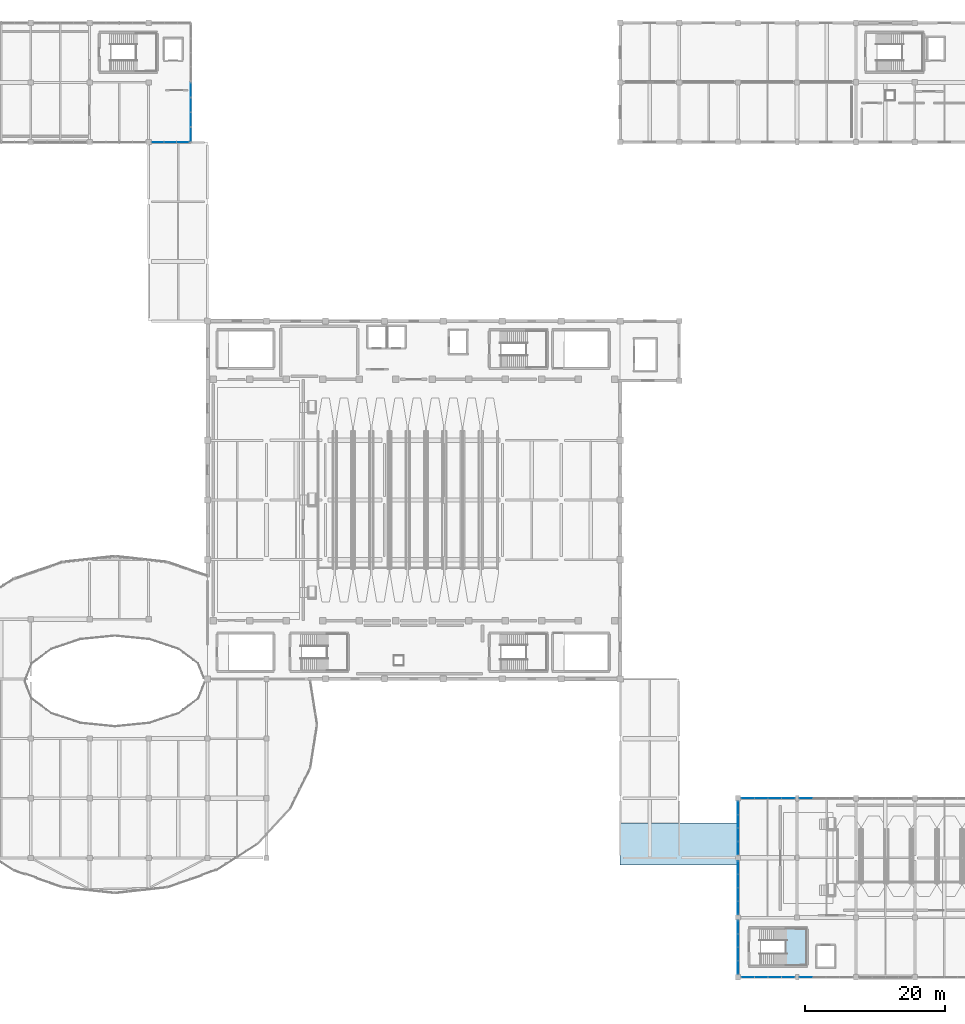
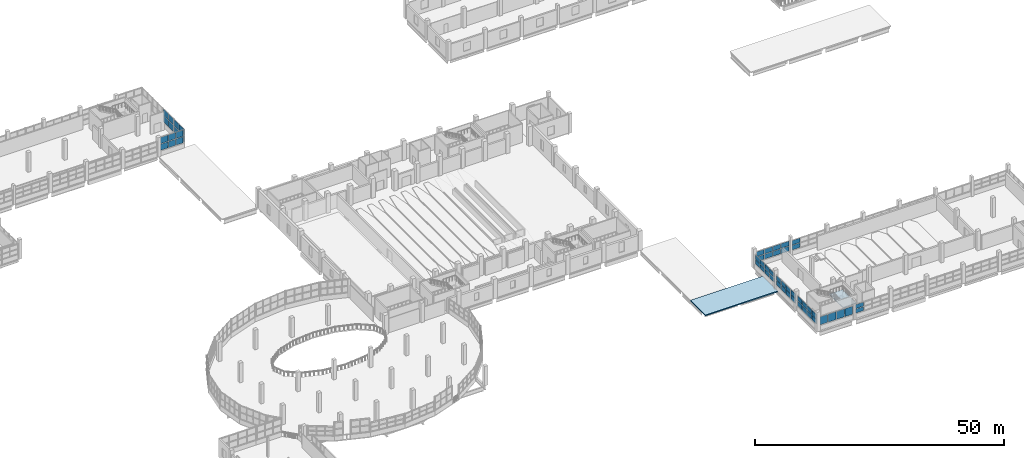
# One storey, part 90 of 117: 54 plates, 2 slabs, 10 elements without a shape of their own.
"""IFC4 building model written with IfcOpenShell, lengths in metres."""

from ifc_helpers import new_model, si_unit, direction, frame, origin, origin_2d, place, context, subcontext, project, spatial, polyline, rectangle, outline, extrude, material, layer, layer_set, type_object, element, aggregate, save


model = new_model("IFC4")

# Units and contexts
model_context = context("Model", 3, precision=1e-05, world=origin(), true_north=direction((0.0, 1.0)))
body_context = subcontext(model_context, "Body", "Model", "MODEL_VIEW")
ifc_project = project(units=[si_unit("LENGTHUNIT", "METRE"), si_unit("AREAUNIT", "SQUARE_METRE"), si_unit("VOLUMEUNIT", "CUBIC_METRE"), si_unit("PLANEANGLEUNIT", "RADIAN"), si_unit("MASSUNIT", "GRAM", prefix="KILO")], contexts=[model_context])

# Site, building, storey
site_placement = place(None, origin())
site = spatial("IfcSite", under=ifc_project, at=site_placement, CompositionType="ELEMENT")
building_placement = place(site_placement, origin())
building = spatial("IfcBuilding", under=site, at=building_placement, Name="Solvento Point Concert Hall", CompositionType="ELEMENT")
storey_placement = place(building_placement, frame((0.0, 0.0, 5.39990234375)))
storey = spatial("IfcBuildingStorey", under=building, at=storey_placement, Name="L01", CompositionType="ELEMENT", Elevation=5.39990234375)

# Curtain wall, plates
ifc_material_1 = material(Name="Anodized Bronze Aluminium", Category="aluminium")
curtain_wall_type_1 = type_object("IfcCurtainWallType", Name="CurtainWall_ChamberCircle", PredefinedType="USERDEFINED", material=ifc_material_1)
curtain_wall_1_placement = place(storey_placement, origin())
curtain_wall_1 = element("IfcCurtainWall", 1, at=curtain_wall_1_placement, inside=storey, type_object=curtain_wall_type_1, Name="Unitised curtain wall CW-32 UCW-L01-073", ObjectType="UNITISED CURTAIN WALL", PredefinedType="USERDEFINED")
ifc_material_2 = material(Name="Hurricane Laminated Low-E Glass", Category="glass")
plate_type_1 = type_object("IfcPlateType", Name="CurtainPanel_ChamberCircle", PredefinedType="CURTAIN_PANEL", material=ifc_material_2)
plate_1_placement = place(storey_placement, frame((150.0, 1.38134765625, 1.240234375), z_axis=(0.0, 0.0, 1.0), x_axis=(0.0, 1.0, 0.0)))
plate_1 = element("IfcPlate", 2, at=plate_1_placement, type_object=plate_type_1, Name="Glazed curtain panel GL-05", PredefinedType="CURTAIN_PANEL", context=body_context, shape_type="SweptSolid", body=[
    extrude(rectangle(XDim=1.79248046875, YDim=0.048095703125, at=origin_2d()), origin(), (0.0, 0.0, 1.0), 1.157470703125),
])
plate_2_placement = place(storey_placement, frame((150.0, 1.38134765625, 2.517578125), z_axis=(0.0, 0.0, 1.0), x_axis=(0.0, 1.0, 0.0)))
plate_2 = element("IfcPlate", 3, at=plate_2_placement, type_object=plate_type_1, Name="Glazed curtain panel GL-05", PredefinedType="CURTAIN_PANEL", context=body_context, shape_type="SweptSolid", body=[
    extrude(rectangle(XDim=1.79248046875, YDim=0.048095703125, at=origin_2d()), origin(), (0.0, 0.0, 1.0), 1.157470703125),
])
plate_3_placement = place(storey_placement, frame((150.0, 3.293701171875, 1.240234375), z_axis=(0.0, 0.0, 1.0), x_axis=(0.0, 1.0, 0.0)))
plate_3 = element("IfcPlate", 4, at=plate_3_placement, type_object=plate_type_1, Name="Glazed curtain panel GL-05", PredefinedType="CURTAIN_PANEL", context=body_context, shape_type="SweptSolid", body=[
    extrude(rectangle(XDim=1.79248046875, YDim=0.048095703125, at=origin_2d()), origin(), (0.0, 0.0, 1.0), 1.157470703125),
])
plate_4_placement = place(storey_placement, frame((150.0, 3.293701171875, 2.517578125), z_axis=(0.0, 0.0, 1.0), x_axis=(0.0, 1.0, 0.0)))
plate_4 = element("IfcPlate", 5, at=plate_4_placement, type_object=plate_type_1, Name="Glazed curtain panel GL-05", PredefinedType="CURTAIN_PANEL", context=body_context, shape_type="SweptSolid", body=[
    extrude(rectangle(XDim=1.79248046875, YDim=0.048095703125, at=origin_2d()), origin(), (0.0, 0.0, 1.0), 1.157470703125),
])
plate_5_placement = place(storey_placement, frame((150.0, 5.206298828125, 1.240234375), z_axis=(0.0, 0.0, 1.0), x_axis=(0.0, 1.0, 0.0)))
plate_5 = element("IfcPlate", 6, at=plate_5_placement, type_object=plate_type_1, Name="Glazed curtain panel GL-05", PredefinedType="CURTAIN_PANEL", context=body_context, shape_type="SweptSolid", body=[
    extrude(rectangle(XDim=1.79248046875, YDim=0.048095703125, at=origin_2d()), origin(), (0.0, 0.0, 1.0), 1.157470703125),
])
plate_6_placement = place(storey_placement, frame((150.0, 5.206298828125, 2.517578125), z_axis=(0.0, 0.0, 1.0), x_axis=(0.0, 1.0, 0.0)))
plate_6 = element("IfcPlate", 7, at=plate_6_placement, type_object=plate_type_1, Name="Glazed curtain panel GL-05", PredefinedType="CURTAIN_PANEL", context=body_context, shape_type="SweptSolid", body=[
    extrude(rectangle(XDim=1.79248046875, YDim=0.048095703125, at=origin_2d()), origin(), (0.0, 0.0, 1.0), 1.157470703125),
])
plate_7_placement = place(storey_placement, frame((150.0, 7.118896484375, 1.240234375), z_axis=(0.0, 0.0, 1.0), x_axis=(0.0, 1.0, 0.0)))
plate_7 = element("IfcPlate", 8, at=plate_7_placement, type_object=plate_type_1, Name="Glazed curtain panel GL-05", PredefinedType="CURTAIN_PANEL", context=body_context, shape_type="SweptSolid", body=[
    extrude(rectangle(XDim=1.79248046875, YDim=0.048095703125, at=origin_2d()), origin(), (0.0, 0.0, 1.0), 1.157470703125),
])
plate_8_placement = place(storey_placement, frame((150.0, 7.118896484375, 2.517578125), z_axis=(0.0, 0.0, 1.0), x_axis=(0.0, 1.0, 0.0)))
plate_8 = element("IfcPlate", 9, at=plate_8_placement, type_object=plate_type_1, Name="Glazed curtain panel GL-05", PredefinedType="CURTAIN_PANEL", context=body_context, shape_type="SweptSolid", body=[
    extrude(rectangle(XDim=1.79248046875, YDim=0.048095703125, at=origin_2d()), origin(), (0.0, 0.0, 1.0), 1.157470703125),
])
aggregate(curtain_wall_1, [plate_1, plate_2, plate_3, plate_4, plate_5, plate_6, plate_7, plate_8])

curtain_wall_2_placement = place(storey_placement, origin())
curtain_wall_2 = element("IfcCurtainWall", 10, at=curtain_wall_2_placement, inside=storey, type_object=curtain_wall_type_1, Name="Unitised curtain wall CW-32 UCW-L01-074", ObjectType="UNITISED CURTAIN WALL", PredefinedType="USERDEFINED")
plate_9_placement = place(storey_placement, frame((150.0, 9.881103515625, 1.240234375), z_axis=(0.0, 0.0, 1.0), x_axis=(0.0, 1.0, 0.0)))
plate_9 = element("IfcPlate", 11, at=plate_9_placement, type_object=plate_type_1, Name="Glazed curtain panel GL-05", PredefinedType="CURTAIN_PANEL", context=body_context, shape_type="SweptSolid", body=[
    extrude(rectangle(XDim=1.79248046875, YDim=0.048095703125, at=origin_2d()), origin(), (0.0, 0.0, 1.0), 1.08544921875),
])
plate_10_placement = place(storey_placement, frame((150.0, 9.881103515625, 2.445556640625), z_axis=(0.0, 0.0, 1.0), x_axis=(0.0, 1.0, 0.0)))
plate_10 = element("IfcPlate", 12, at=plate_10_placement, type_object=plate_type_1, Name="Glazed curtain panel GL-05", PredefinedType="CURTAIN_PANEL", context=body_context, shape_type="SweptSolid", body=[
    extrude(rectangle(XDim=1.79248046875, YDim=0.048095703125, at=origin_2d()), origin(), (0.0, 0.0, 1.0), 1.08544921875),
])
plate_11_placement = place(storey_placement, frame((150.0, 11.793701171875, 1.240234375), z_axis=(0.0, 0.0, 1.0), x_axis=(0.0, 1.0, 0.0)))
plate_11 = element("IfcPlate", 13, at=plate_11_placement, type_object=plate_type_1, Name="Glazed curtain panel GL-05", PredefinedType="CURTAIN_PANEL", context=body_context, shape_type="SweptSolid", body=[
    extrude(rectangle(XDim=1.79248046875, YDim=0.048095703125, at=origin_2d()), origin(), (0.0, 0.0, 1.0), 1.08544921875),
])
plate_12_placement = place(storey_placement, frame((150.0, 11.793701171875, 2.445556640625), z_axis=(0.0, 0.0, 1.0), x_axis=(0.0, 1.0, 0.0)))
plate_12 = element("IfcPlate", 14, at=plate_12_placement, type_object=plate_type_1, Name="Glazed curtain panel GL-05", PredefinedType="CURTAIN_PANEL", context=body_context, shape_type="SweptSolid", body=[
    extrude(rectangle(XDim=1.79248046875, YDim=0.048095703125, at=origin_2d()), origin(), (0.0, 0.0, 1.0), 1.08544921875),
])
plate_13_placement = place(storey_placement, frame((150.0, 13.706298828125, 1.240234375), z_axis=(0.0, 0.0, 1.0), x_axis=(0.0, 1.0, 0.0)))
plate_13 = element("IfcPlate", 15, at=plate_13_placement, type_object=plate_type_1, Name="Glazed curtain panel GL-05", PredefinedType="CURTAIN_PANEL", context=body_context, shape_type="SweptSolid", body=[
    extrude(rectangle(XDim=1.79248046875, YDim=0.048095703125, at=origin_2d()), origin(), (0.0, 0.0, 1.0), 1.08544921875),
])
plate_14_placement = place(storey_placement, frame((150.0, 13.706298828125, 2.445556640625), z_axis=(0.0, 0.0, 1.0), x_axis=(0.0, 1.0, 0.0)))
plate_14 = element("IfcPlate", 16, at=plate_14_placement, type_object=plate_type_1, Name="Glazed curtain panel GL-05", PredefinedType="CURTAIN_PANEL", context=body_context, shape_type="SweptSolid", body=[
    extrude(rectangle(XDim=1.79248046875, YDim=0.048095703125, at=origin_2d()), origin(), (0.0, 0.0, 1.0), 1.08544921875),
])
plate_15_placement = place(storey_placement, frame((150.0, 15.61865234375, 1.240234375), z_axis=(0.0, 0.0, 1.0), x_axis=(0.0, 1.0, 0.0)))
plate_15 = element("IfcPlate", 17, at=plate_15_placement, type_object=plate_type_1, Name="Glazed curtain panel GL-05", PredefinedType="CURTAIN_PANEL", context=body_context, shape_type="SweptSolid", body=[
    extrude(rectangle(XDim=1.79248046875, YDim=0.048095703125, at=origin_2d()), origin(), (0.0, 0.0, 1.0), 1.08544921875),
])
plate_16_placement = place(storey_placement, frame((150.0, 15.61865234375, 2.445556640625), z_axis=(0.0, 0.0, 1.0), x_axis=(0.0, 1.0, 0.0)))
plate_16 = element("IfcPlate", 18, at=plate_16_placement, type_object=plate_type_1, Name="Glazed curtain panel GL-05", PredefinedType="CURTAIN_PANEL", context=body_context, shape_type="SweptSolid", body=[
    extrude(rectangle(XDim=1.79248046875, YDim=0.048095703125, at=origin_2d()), origin(), (0.0, 0.0, 1.0), 1.08544921875),
])
aggregate(curtain_wall_2, [plate_9, plate_10, plate_11, plate_12, plate_13, plate_14, plate_15, plate_16])

curtain_wall_3_placement = place(storey_placement, origin())
curtain_wall_3 = element("IfcCurtainWall", 19, at=curtain_wall_3_placement, inside=storey, type_object=curtain_wall_type_1, Name="Unitised curtain wall CW-32 UCW-L01-075", ObjectType="UNITISED CURTAIN WALL", PredefinedType="USERDEFINED")
plate_17_placement = place(storey_placement, frame((150.0, 18.38134765625, 1.240234375), z_axis=(0.0, 0.0, 1.0), x_axis=(0.0, 1.0, 0.0)))
plate_17 = element("IfcPlate", 20, at=plate_17_placement, type_object=plate_type_1, Name="Glazed curtain panel GL-05", PredefinedType="CURTAIN_PANEL", context=body_context, shape_type="SweptSolid", body=[
    extrude(rectangle(XDim=1.79248046875, YDim=0.048095703125, at=origin_2d()), origin(), (0.0, 0.0, 1.0), 1.047119140625),
])
plate_18_placement = place(storey_placement, frame((150.0, 18.38134765625, 2.4072265625), z_axis=(0.0, 0.0, 1.0), x_axis=(0.0, 1.0, 0.0)))
plate_18 = element("IfcPlate", 21, at=plate_18_placement, type_object=plate_type_1, Name="Glazed curtain panel GL-05", PredefinedType="CURTAIN_PANEL", context=body_context, shape_type="SweptSolid", body=[
    extrude(rectangle(XDim=1.79248046875, YDim=0.048095703125, at=origin_2d()), origin(), (0.0, 0.0, 1.0), 1.047119140625),
])
plate_19_placement = place(storey_placement, frame((150.0, 20.293701171875, 1.240234375), z_axis=(0.0, 0.0, 1.0), x_axis=(0.0, 1.0, 0.0)))
plate_19 = element("IfcPlate", 22, at=plate_19_placement, type_object=plate_type_1, Name="Glazed curtain panel GL-05", PredefinedType="CURTAIN_PANEL", context=body_context, shape_type="SweptSolid", body=[
    extrude(rectangle(XDim=1.79248046875, YDim=0.048095703125, at=origin_2d()), origin(), (0.0, 0.0, 1.0), 1.047119140625),
])
plate_20_placement = place(storey_placement, frame((150.0, 20.293701171875, 2.4072265625), z_axis=(0.0, 0.0, 1.0), x_axis=(0.0, 1.0, 0.0)))
plate_20 = element("IfcPlate", 23, at=plate_20_placement, type_object=plate_type_1, Name="Glazed curtain panel GL-05", PredefinedType="CURTAIN_PANEL", context=body_context, shape_type="SweptSolid", body=[
    extrude(rectangle(XDim=1.79248046875, YDim=0.048095703125, at=origin_2d()), origin(), (0.0, 0.0, 1.0), 1.047119140625),
])
plate_21_placement = place(storey_placement, frame((150.0, 22.206298828125, 1.240234375), z_axis=(0.0, 0.0, 1.0), x_axis=(0.0, 1.0, 0.0)))
plate_21 = element("IfcPlate", 24, at=plate_21_placement, type_object=plate_type_1, Name="Glazed curtain panel GL-05", PredefinedType="CURTAIN_PANEL", context=body_context, shape_type="SweptSolid", body=[
    extrude(rectangle(XDim=1.79248046875, YDim=0.048095703125, at=origin_2d()), origin(), (0.0, 0.0, 1.0), 1.047119140625),
])
plate_22_placement = place(storey_placement, frame((150.0, 22.206298828125, 2.4072265625), z_axis=(0.0, 0.0, 1.0), x_axis=(0.0, 1.0, 0.0)))
plate_22 = element("IfcPlate", 25, at=plate_22_placement, type_object=plate_type_1, Name="Glazed curtain panel GL-05", PredefinedType="CURTAIN_PANEL", context=body_context, shape_type="SweptSolid", body=[
    extrude(rectangle(XDim=1.79248046875, YDim=0.048095703125, at=origin_2d()), origin(), (0.0, 0.0, 1.0), 1.047119140625),
])
plate_23_placement = place(storey_placement, frame((150.0, 24.11865234375, 1.240234375), z_axis=(0.0, 0.0, 1.0), x_axis=(0.0, 1.0, 0.0)))
plate_23 = element("IfcPlate", 26, at=plate_23_placement, type_object=plate_type_1, Name="Glazed curtain panel GL-05", PredefinedType="CURTAIN_PANEL", context=body_context, shape_type="SweptSolid", body=[
    extrude(rectangle(XDim=1.79248046875, YDim=0.048095703125, at=origin_2d()), origin(), (0.0, 0.0, 1.0), 1.047119140625),
])
plate_24_placement = place(storey_placement, frame((150.0, 24.11865234375, 2.4072265625), z_axis=(0.0, 0.0, 1.0), x_axis=(0.0, 1.0, 0.0)))
plate_24 = element("IfcPlate", 27, at=plate_24_placement, type_object=plate_type_1, Name="Glazed curtain panel GL-05", PredefinedType="CURTAIN_PANEL", context=body_context, shape_type="SweptSolid", body=[
    extrude(rectangle(XDim=1.79248046875, YDim=0.048095703125, at=origin_2d()), origin(), (0.0, 0.0, 1.0), 1.047119140625),
])
aggregate(curtain_wall_3, [plate_17, plate_18, plate_19, plate_20, plate_21, plate_22, plate_23, plate_24])

curtain_wall_4_placement = place(storey_placement, origin())
curtain_wall_4 = element("IfcCurtainWall", 28, at=curtain_wall_4_placement, inside=storey, type_object=curtain_wall_type_1, Name="Unitised curtain wall CW-32 UCW-L01-076", ObjectType="UNITISED CURTAIN WALL", PredefinedType="USERDEFINED")
plate_25_placement = place(storey_placement, frame((151.384521484375, 25.5, 1.240234375), z_axis=(0.0, 0.0, 1.0), x_axis=(1.0, 0.0, 0.0)))
plate_25 = element("IfcPlate", 29, at=plate_25_placement, type_object=plate_type_1, Name="Glazed curtain panel GL-05", PredefinedType="CURTAIN_PANEL", context=body_context, shape_type="SweptSolid", body=[
    extrude(rectangle(XDim=1.798583984375, YDim=0.048095703125, at=origin_2d()), origin(), (0.0, 0.0, 1.0), 1.157470703125),
])
plate_26_placement = place(storey_placement, frame((151.384521484375, 25.5, 2.517578125), z_axis=(0.0, 0.0, 1.0), x_axis=(1.0, 0.0, 0.0)))
plate_26 = element("IfcPlate", 30, at=plate_26_placement, type_object=plate_type_1, Name="Glazed curtain panel GL-05", PredefinedType="CURTAIN_PANEL", context=body_context, shape_type="SweptSolid", body=[
    extrude(rectangle(XDim=1.798583984375, YDim=0.048095703125, at=origin_2d()), origin(), (0.0, 0.0, 1.0), 1.157470703125),
])
plate_27_placement = place(storey_placement, frame((153.302978515625, 25.5, 1.240234375), z_axis=(0.0, 0.0, 1.0), x_axis=(1.0, 0.0, 0.0)))
plate_27 = element("IfcPlate", 31, at=plate_27_placement, type_object=plate_type_1, Name="Glazed curtain panel GL-05", PredefinedType="CURTAIN_PANEL", context=body_context, shape_type="SweptSolid", body=[
    extrude(rectangle(XDim=1.798583984375, YDim=0.048095703125, at=origin_2d()), origin(), (0.0, 0.0, 1.0), 1.157470703125),
])
plate_28_placement = place(storey_placement, frame((153.302978515625, 25.5, 2.517578125), z_axis=(0.0, 0.0, 1.0), x_axis=(1.0, 0.0, 0.0)))
plate_28 = element("IfcPlate", 32, at=plate_28_placement, type_object=plate_type_1, Name="Glazed curtain panel GL-05", PredefinedType="CURTAIN_PANEL", context=body_context, shape_type="SweptSolid", body=[
    extrude(rectangle(XDim=1.798583984375, YDim=0.048095703125, at=origin_2d()), origin(), (0.0, 0.0, 1.0), 1.157470703125),
])
plate_29_placement = place(storey_placement, frame((155.221923828125, 25.5, 1.240234375), z_axis=(0.0, 0.0, 1.0), x_axis=(1.0, 0.0, 0.0)))
plate_29 = element("IfcPlate", 33, at=plate_29_placement, type_object=plate_type_1, Name="Glazed curtain panel GL-05", PredefinedType="CURTAIN_PANEL", context=body_context, shape_type="SweptSolid", body=[
    extrude(rectangle(XDim=1.798583984375, YDim=0.048095703125, at=origin_2d()), origin(), (0.0, 0.0, 1.0), 1.157470703125),
])
plate_30_placement = place(storey_placement, frame((155.221923828125, 25.5, 2.517578125), z_axis=(0.0, 0.0, 1.0), x_axis=(1.0, 0.0, 0.0)))
plate_30 = element("IfcPlate", 34, at=plate_30_placement, type_object=plate_type_1, Name="Glazed curtain panel GL-05", PredefinedType="CURTAIN_PANEL", context=body_context, shape_type="SweptSolid", body=[
    extrude(rectangle(XDim=1.798583984375, YDim=0.048095703125, at=origin_2d()), origin(), (0.0, 0.0, 1.0), 1.157470703125),
])
plate_31_placement = place(storey_placement, frame((157.140625, 25.5, 1.240234375), z_axis=(0.0, 0.0, 1.0), x_axis=(1.0, 0.0, 0.0)))
plate_31 = element("IfcPlate", 35, at=plate_31_placement, type_object=plate_type_1, Name="Glazed curtain panel GL-05", PredefinedType="CURTAIN_PANEL", context=body_context, shape_type="SweptSolid", body=[
    extrude(rectangle(XDim=1.798583984375, YDim=0.048095703125, at=origin_2d()), origin(), (0.0, 0.0, 1.0), 1.157470703125),
])
plate_32_placement = place(storey_placement, frame((157.140625, 25.5, 2.517578125), z_axis=(0.0, 0.0, 1.0), x_axis=(1.0, 0.0, 0.0)))
plate_32 = element("IfcPlate", 36, at=plate_32_placement, type_object=plate_type_1, Name="Glazed curtain panel GL-05", PredefinedType="CURTAIN_PANEL", context=body_context, shape_type="SweptSolid", body=[
    extrude(rectangle(XDim=1.798583984375, YDim=0.048095703125, at=origin_2d()), origin(), (0.0, 0.0, 1.0), 1.157470703125),
])
aggregate(curtain_wall_4, [plate_25, plate_26, plate_27, plate_28, plate_29, plate_30, plate_31, plate_32])

curtain_wall_5_placement = place(storey_placement, origin())
curtain_wall_5 = element("IfcCurtainWall", 37, at=curtain_wall_5_placement, inside=storey, type_object=curtain_wall_type_1, Name="Unitised curtain wall CW-32 UCW-L01-077", ObjectType="UNITISED CURTAIN WALL", PredefinedType="USERDEFINED")
plate_33_placement = place(storey_placement, frame((159.659423828125, 25.5, 1.240234375), z_axis=(0.0, 0.0, 1.0), x_axis=(1.0, 0.0, 0.0)))
plate_33 = element("IfcPlate", 38, at=plate_33_placement, type_object=plate_type_1, Name="Glazed curtain panel GL-05", PredefinedType="CURTAIN_PANEL", context=body_context, shape_type="SweptSolid", body=[
    extrude(rectangle(XDim=1.798828125, YDim=0.048095703125, at=origin_2d()), origin(), (0.0, 0.0, 1.0), 1.08544921875),
])
plate_34_placement = place(storey_placement, frame((159.659423828125, 25.5, 2.445556640625), z_axis=(0.0, 0.0, 1.0), x_axis=(1.0, 0.0, 0.0)))
plate_34 = element("IfcPlate", 39, at=plate_34_placement, type_object=plate_type_1, Name="Glazed curtain panel GL-05", PredefinedType="CURTAIN_PANEL", context=body_context, shape_type="SweptSolid", body=[
    extrude(rectangle(XDim=1.798828125, YDim=0.048095703125, at=origin_2d()), origin(), (0.0, 0.0, 1.0), 1.08544921875),
])
aggregate(curtain_wall_5, [plate_33, plate_34])

curtain_wall_6_placement = place(storey_placement, origin())
curtain_wall_6 = element("IfcCurtainWall", 40, at=curtain_wall_6_placement, inside=storey, type_object=curtain_wall_type_1, Name="Unitised curtain wall CW-32 UCW-L01-086", ObjectType="UNITISED CURTAIN WALL", PredefinedType="USERDEFINED")
plate_35_placement = place(storey_placement, frame((151.384521484375, 0.0, 1.239990234375), z_axis=(0.0, 0.0, 1.0), x_axis=(1.0, 0.0, 0.0)))
plate_35 = element("IfcPlate", 41, at=plate_35_placement, type_object=plate_type_1, Name="Glazed curtain panel GL-05", PredefinedType="CURTAIN_PANEL", context=body_context, shape_type="SweptSolid", body=[
    extrude(rectangle(XDim=1.798583984375, YDim=0.048095703125, at=origin_2d()), origin(), (0.0, 0.0, 1.0), 1.9580078125),
])
plate_36_placement = place(storey_placement, frame((153.302978515625, 0.0, 1.239990234375), z_axis=(0.0, 0.0, 1.0), x_axis=(1.0, 0.0, 0.0)))
plate_36 = element("IfcPlate", 42, at=plate_36_placement, type_object=plate_type_1, Name="Glazed curtain panel GL-05", PredefinedType="CURTAIN_PANEL", context=body_context, shape_type="SweptSolid", body=[
    extrude(rectangle(XDim=1.798583984375, YDim=0.048095703125, at=origin_2d()), origin(), (0.0, 0.0, 1.0), 1.9580078125),
])
plate_37_placement = place(storey_placement, frame((155.221923828125, 0.0, 1.239990234375), z_axis=(0.0, 0.0, 1.0), x_axis=(1.0, 0.0, 0.0)))
plate_37 = element("IfcPlate", 43, at=plate_37_placement, type_object=plate_type_1, Name="Glazed curtain panel GL-05", PredefinedType="CURTAIN_PANEL", context=body_context, shape_type="SweptSolid", body=[
    extrude(rectangle(XDim=1.798583984375, YDim=0.048095703125, at=origin_2d()), origin(), (0.0, 0.0, 1.0), 1.9580078125),
])
plate_38_placement = place(storey_placement, frame((157.140625, 0.0, 1.239990234375), z_axis=(0.0, 0.0, 1.0), x_axis=(1.0, 0.0, 0.0)))
plate_38 = element("IfcPlate", 44, at=plate_38_placement, type_object=plate_type_1, Name="Glazed curtain panel GL-05", PredefinedType="CURTAIN_PANEL", context=body_context, shape_type="SweptSolid", body=[
    extrude(rectangle(XDim=1.798583984375, YDim=0.048095703125, at=origin_2d()), origin(), (0.0, 0.0, 1.0), 1.9580078125),
])
aggregate(curtain_wall_6, [plate_35, plate_36, plate_37, plate_38])

curtain_wall_7_placement = place(storey_placement, origin())
curtain_wall_7 = element("IfcCurtainWall", 45, at=curtain_wall_7_placement, inside=storey, type_object=curtain_wall_type_1, Name="Unitised curtain wall CW-32 UCW-L01-087", ObjectType="UNITISED CURTAIN WALL", PredefinedType="USERDEFINED")
plate_39_placement = place(storey_placement, frame((159.659423828125, 0.0, 1.240234375), z_axis=(0.0, 0.0, 1.0), x_axis=(1.0, 0.0, 0.0)))
plate_39 = element("IfcPlate", 46, at=plate_39_placement, type_object=plate_type_1, Name="Glazed curtain panel GL-05", PredefinedType="CURTAIN_PANEL", context=body_context, shape_type="SweptSolid", body=[
    extrude(rectangle(XDim=1.798828125, YDim=0.048095703125, at=origin_2d()), origin(), (0.0, 0.0, 1.0), 0.971923828125),
])
plate_40_placement = place(storey_placement, frame((159.659423828125, 0.0, 2.33203125), z_axis=(0.0, 0.0, 1.0), x_axis=(1.0, 0.0, 0.0)))
plate_40 = element("IfcPlate", 47, at=plate_40_placement, type_object=plate_type_1, Name="Glazed curtain panel GL-05", PredefinedType="CURTAIN_PANEL", context=body_context, shape_type="SweptSolid", body=[
    extrude(rectangle(XDim=1.798828125, YDim=0.048095703125, at=origin_2d()), origin(), (0.0, 0.0, 1.0), 0.971923828125),
])
aggregate(curtain_wall_7, [plate_39, plate_40])

ifc_material_3 = material(Name="Anodized Bronze Aluminium", Category="aluminium")
curtain_wall_type_2 = type_object("IfcCurtainWallType", Name="CurtainWall_CourtPilotis", PredefinedType="USERDEFINED", material=ifc_material_3)
curtain_wall_8_placement = place(storey_placement, origin())
curtain_wall_8 = element("IfcCurtainWall", 48, at=curtain_wall_8_placement, inside=storey, type_object=curtain_wall_type_2, Name="Unitised curtain wall CW-96 UCW-L01-132", ObjectType="UNITISED CURTAIN WALL", PredefinedType="USERDEFINED")
ifc_material_4 = material(Name="Hurricane Laminated Low-E Glass", Category="glass")
plate_type_2 = type_object("IfcPlateType", Name="CurtainPanel_CourtPilotis", PredefinedType="CURTAIN_PANEL", material=ifc_material_4)
plate_41_placement = place(storey_placement, frame((72.0, 120.0849609375, 1.240234375), z_axis=(0.0, 0.0, 1.0), x_axis=(0.0, 1.0, 0.0)))
plate_41 = element("IfcPlate", 49, at=plate_41_placement, type_object=plate_type_2, Name="Glazed curtain panel GL-06", PredefinedType="CURTAIN_PANEL", context=body_context, shape_type="SweptSolid", body=[
    extrude(rectangle(XDim=1.989990234375, YDim=0.030029296875, at=origin_2d()), origin(), (0.0, 0.0, 1.0), 1.52490234375),
])
plate_42_placement = place(storey_placement, frame((72.0, 120.0849609375, 2.88525390625), z_axis=(0.0, 0.0, 1.0), x_axis=(0.0, 1.0, 0.0)))
plate_42 = element("IfcPlate", 50, at=plate_42_placement, type_object=plate_type_2, Name="Glazed curtain panel GL-06", PredefinedType="CURTAIN_PANEL", context=body_context, shape_type="SweptSolid", body=[
    extrude(rectangle(XDim=1.989990234375, YDim=0.030029296875, at=origin_2d()), origin(), (0.0, 0.0, 1.0), 1.52490234375),
])
plate_43_placement = place(storey_placement, frame((72.0, 122.195068359375, 1.240234375), z_axis=(0.0, 0.0, 1.0), x_axis=(0.0, 1.0, 0.0)))
plate_43 = element("IfcPlate", 51, at=plate_43_placement, type_object=plate_type_2, Name="Glazed curtain panel GL-06", PredefinedType="CURTAIN_PANEL", context=body_context, shape_type="SweptSolid", body=[
    extrude(rectangle(XDim=1.989990234375, YDim=0.030029296875, at=origin_2d()), origin(), (0.0, 0.0, 1.0), 1.52490234375),
])
plate_44_placement = place(storey_placement, frame((72.0, 122.195068359375, 2.88525390625), z_axis=(0.0, 0.0, 1.0), x_axis=(0.0, 1.0, 0.0)))
plate_44 = element("IfcPlate", 52, at=plate_44_placement, type_object=plate_type_2, Name="Glazed curtain panel GL-06", PredefinedType="CURTAIN_PANEL", context=body_context, shape_type="SweptSolid", body=[
    extrude(rectangle(XDim=1.989990234375, YDim=0.030029296875, at=origin_2d()), origin(), (0.0, 0.0, 1.0), 1.52490234375),
])
plate_45_placement = place(storey_placement, frame((72.0, 124.304931640625, 1.240234375), z_axis=(0.0, 0.0, 1.0), x_axis=(0.0, 1.0, 0.0)))
plate_45 = element("IfcPlate", 53, at=plate_45_placement, type_object=plate_type_2, Name="Glazed curtain panel GL-06", PredefinedType="CURTAIN_PANEL", context=body_context, shape_type="SweptSolid", body=[
    extrude(rectangle(XDim=1.989990234375, YDim=0.030029296875, at=origin_2d()), origin(), (0.0, 0.0, 1.0), 1.52490234375),
])
plate_46_placement = place(storey_placement, frame((72.0, 124.304931640625, 2.88525390625), z_axis=(0.0, 0.0, 1.0), x_axis=(0.0, 1.0, 0.0)))
plate_46 = element("IfcPlate", 54, at=plate_46_placement, type_object=plate_type_2, Name="Glazed curtain panel GL-06", PredefinedType="CURTAIN_PANEL", context=body_context, shape_type="SweptSolid", body=[
    extrude(rectangle(XDim=1.989990234375, YDim=0.030029296875, at=origin_2d()), origin(), (0.0, 0.0, 1.0), 1.52490234375),
])
plate_47_placement = place(storey_placement, frame((72.0, 126.4150390625, 1.240234375), z_axis=(0.0, 0.0, 1.0), x_axis=(0.0, 1.0, 0.0)))
plate_47 = element("IfcPlate", 55, at=plate_47_placement, type_object=plate_type_2, Name="Glazed curtain panel GL-06", PredefinedType="CURTAIN_PANEL", context=body_context, shape_type="SweptSolid", body=[
    extrude(rectangle(XDim=1.989990234375, YDim=0.030029296875, at=origin_2d()), origin(), (0.0, 0.0, 1.0), 1.52490234375),
])
plate_48_placement = place(storey_placement, frame((72.0, 126.4150390625, 2.88525390625), z_axis=(0.0, 0.0, 1.0), x_axis=(0.0, 1.0, 0.0)))
plate_48 = element("IfcPlate", 56, at=plate_48_placement, type_object=plate_type_2, Name="Glazed curtain panel GL-06", PredefinedType="CURTAIN_PANEL", context=body_context, shape_type="SweptSolid", body=[
    extrude(rectangle(XDim=1.989990234375, YDim=0.030029296875, at=origin_2d()), origin(), (0.0, 0.0, 1.0), 1.52490234375),
])
aggregate(curtain_wall_8, [plate_41, plate_42, plate_43, plate_44, plate_45, plate_46, plate_47, plate_48])

curtain_wall_9_placement = place(storey_placement, origin())
curtain_wall_9 = element("IfcCurtainWall", 57, at=curtain_wall_9_placement, inside=storey, type_object=curtain_wall_type_2, Name="Unitised curtain wall CW-96 UCW-L01-139", ObjectType="UNITISED CURTAIN WALL", PredefinedType="USERDEFINED")
plate_49_placement = place(storey_placement, frame((67.3173828125, 119.0, 1.240234375), z_axis=(0.0, 0.0, 1.0), x_axis=(1.0, 0.0, 0.0)))
plate_49 = element("IfcPlate", 58, at=plate_49_placement, type_object=plate_type_2, Name="Glazed curtain panel GL-06", PredefinedType="CURTAIN_PANEL", context=body_context, shape_type="SweptSolid", body=[
    extrude(rectangle(XDim=1.6650390625, YDim=0.030029296875, at=origin_2d()), origin(), (0.0, 0.0, 1.0), 1.52490234375),
])
plate_50_placement = place(storey_placement, frame((67.3173828125, 119.0, 2.88525390625), z_axis=(0.0, 0.0, 1.0), x_axis=(1.0, 0.0, 0.0)))
plate_50 = element("IfcPlate", 59, at=plate_50_placement, type_object=plate_type_2, Name="Glazed curtain panel GL-06", PredefinedType="CURTAIN_PANEL", context=body_context, shape_type="SweptSolid", body=[
    extrude(rectangle(XDim=1.6650390625, YDim=0.030029296875, at=origin_2d()), origin(), (0.0, 0.0, 1.0), 1.52490234375),
])
plate_51_placement = place(storey_placement, frame((69.1025390625, 119.0, 1.240234375), z_axis=(0.0, 0.0, 1.0), x_axis=(1.0, 0.0, 0.0)))
plate_51 = element("IfcPlate", 60, at=plate_51_placement, type_object=plate_type_2, Name="Glazed curtain panel GL-06", PredefinedType="CURTAIN_PANEL", context=body_context, shape_type="SweptSolid", body=[
    extrude(rectangle(XDim=1.6650390625, YDim=0.030029296875, at=origin_2d()), origin(), (0.0, 0.0, 1.0), 1.52490234375),
])
plate_52_placement = place(storey_placement, frame((69.1025390625, 119.0, 2.88525390625), z_axis=(0.0, 0.0, 1.0), x_axis=(1.0, 0.0, 0.0)))
plate_52 = element("IfcPlate", 61, at=plate_52_placement, type_object=plate_type_2, Name="Glazed curtain panel GL-06", PredefinedType="CURTAIN_PANEL", context=body_context, shape_type="SweptSolid", body=[
    extrude(rectangle(XDim=1.6650390625, YDim=0.030029296875, at=origin_2d()), origin(), (0.0, 0.0, 1.0), 1.52490234375),
])
plate_53_placement = place(storey_placement, frame((70.887451171875, 119.0, 1.240234375), z_axis=(0.0, 0.0, 1.0), x_axis=(1.0, 0.0, 0.0)))
plate_53 = element("IfcPlate", 62, at=plate_53_placement, type_object=plate_type_2, Name="Glazed curtain panel GL-06", PredefinedType="CURTAIN_PANEL", context=body_context, shape_type="SweptSolid", body=[
    extrude(rectangle(XDim=1.6650390625, YDim=0.030029296875, at=origin_2d()), origin(), (0.0, 0.0, 1.0), 1.52490234375),
])
plate_54_placement = place(storey_placement, frame((70.887451171875, 119.0, 2.88525390625), z_axis=(0.0, 0.0, 1.0), x_axis=(1.0, 0.0, 0.0)))
plate_54 = element("IfcPlate", 63, at=plate_54_placement, type_object=plate_type_2, Name="Glazed curtain panel GL-06", PredefinedType="CURTAIN_PANEL", context=body_context, shape_type="SweptSolid", body=[
    extrude(rectangle(XDim=1.6650390625, YDim=0.030029296875, at=origin_2d()), origin(), (0.0, 0.0, 1.0), 1.52490234375),
])
aggregate(curtain_wall_9, [plate_49, plate_50, plate_51, plate_52, plate_53, plate_54])

# Slab
ifc_material_5 = material(Name="Concrete C40/50", Category="concrete")
ifc_layer_1 = layer(ifc_material_5, 0.260009765625)
ifc_layer_set_1 = layer_set([ifc_layer_1], Name="Concrete C40/50")
slab_type_1 = type_object("IfcSlabType", Name="RoofFlat_260", PredefinedType="ROOF", material=ifc_layer_set_1)
slab_1_placement = place(storey_placement, frame((0.0, 0.0, -0.260009765625)))
element("IfcSlab", 64, at=slab_1_placement, inside=storey, type_object=slab_type_1, Name="Structural slab RF-DK1 RF-L01-V3L", PredefinedType="ROOF", context=body_context, shape_type="SweptSolid", body=[
    extrude(outline(polyline([(133.199951171875, 16.0), (133.199951171875, 22.0), (150.0, 22.0), (150.0, 16.0), (133.199951171875, 16.0)])), origin(), (0.0, 0.0, 1.0), 0.260009765625),
])

# Stair, slab
ifc_material_6 = material(Name="Concrete C35/45", Category="concrete")
stair_type = type_object("IfcStairType", Name="CoreStair_1680", PredefinedType="HALF_TURN_STAIR", material=ifc_material_6)
stair_placement = place(storey_placement, origin())
stair = element("IfcStair", 65, at=stair_placement, inside=storey, type_object=stair_type, Name="Protected exit stair ST-08 (L01 to L02)", PredefinedType="HALF_TURN_STAIR")
ifc_material_7 = material(Name="Concrete C35/45", Category="concrete")
ifc_layer_2 = layer(ifc_material_7, 0.179931640625)
ifc_layer_set_2 = layer_set([ifc_layer_2], Name="Concrete C35/45")
slab_type_2 = type_object("IfcSlabType", Name="StairLanding_180", PredefinedType="LANDING", material=ifc_layer_set_2)
slab_2_placement = place(storey_placement, frame((0.0, 0.0, 2.22021484375)))
slab_2 = element("IfcSlab", 66, at=slab_2_placement, type_object=slab_type_2, Name="Stair half-landing ST-08 L01", PredefinedType="LANDING", context=body_context, shape_type="SweptSolid", body=[
    extrude(outline(polyline([(156.719970703125, 1.56005859375), (159.840087890625, 1.56005859375), (159.840087890625, 7.0400390625), (156.719970703125, 7.0400390625), (156.719970703125, 1.56005859375)])), origin(), (0.0, 0.0, 1.0), 0.179931640625),
])
aggregate(stair, [slab_2])

save(model, "model.ifc")
